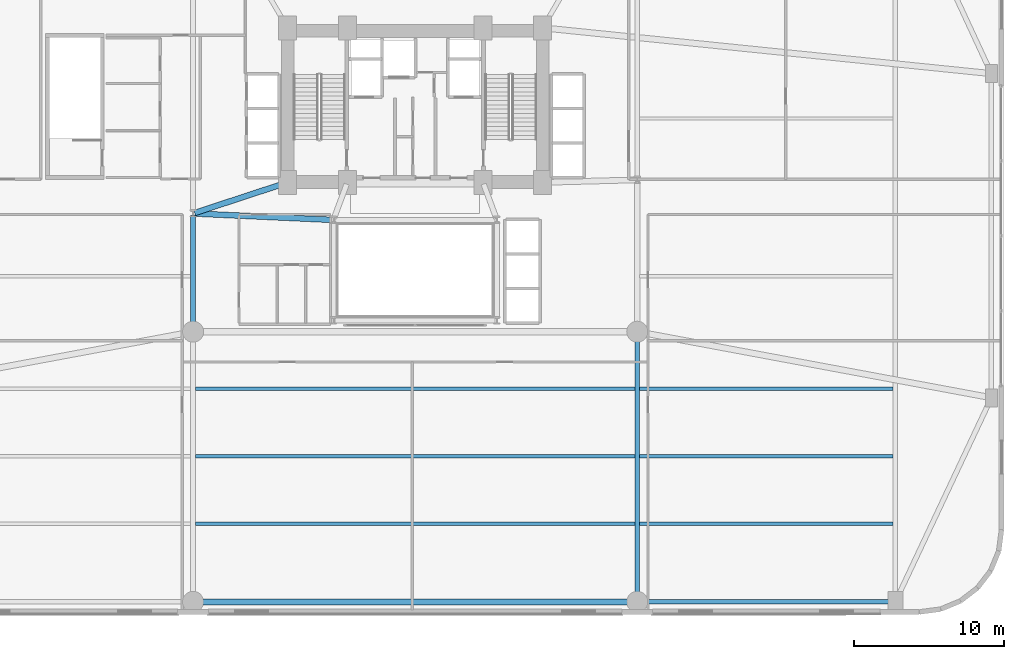
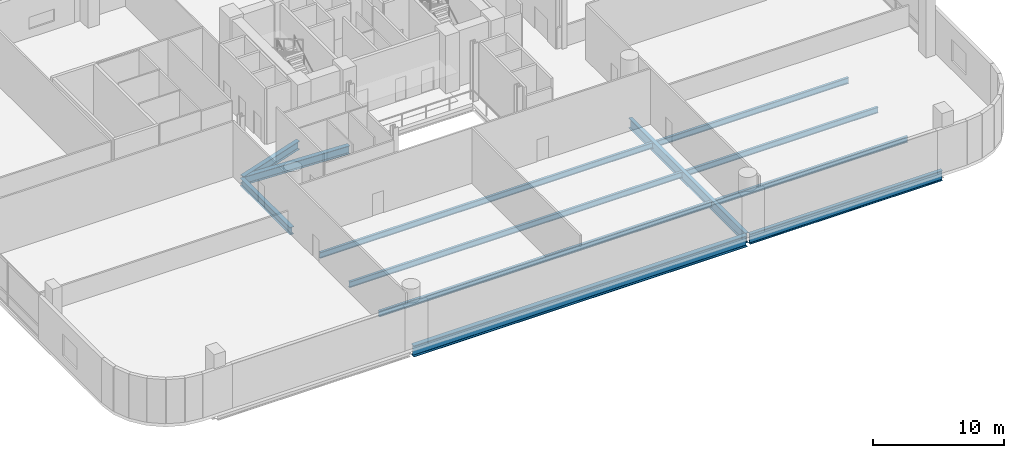
# One storey, part 9 of 31: 12 beams.
"""IFC4 building model written with IfcOpenShell, lengths in metres."""

from ifc_helpers import new_model, si_unit, direction, frame, origin, origin_2d, place, context, subcontext, project, spatial, i_section, extrude, material, material_profile, profile_set, type_object, element, save


model = new_model("IFC4")

# Units and contexts
model_context = context("Model", 3, precision=1e-05, world=origin(), true_north=direction((0.0, 1.0)))
body_context = subcontext(model_context, "Body", "Model", "MODEL_VIEW")
ifc_project = project(units=[si_unit("LENGTHUNIT", "METRE"), si_unit("AREAUNIT", "SQUARE_METRE"), si_unit("VOLUMEUNIT", "CUBIC_METRE"), si_unit("PLANEANGLEUNIT", "RADIAN"), si_unit("MASSUNIT", "GRAM", prefix="KILO")], contexts=[model_context])

# Site, building, storey
site_placement = place(None, origin())
site = spatial("IfcSite", under=ifc_project, at=site_placement, CompositionType="ELEMENT")
building_placement = place(site_placement, origin())
building = spatial("IfcBuilding", under=site, at=building_placement, Name="Varnelok Gate Tower", CompositionType="ELEMENT")
storey_placement = place(building_placement, frame((0.0, 0.0, 21.60009765625)))
storey = spatial("IfcBuildingStorey", under=building, at=storey_placement, Name="L04", CompositionType="ELEMENT", Elevation=21.60009765625)

# Beams
ifc_material = material(Name="Structural Steel ASTM A992 Grade 50", Category="steel")
ifc_material_profile_1 = material_profile(ifc_material, i_section(OverallWidth=0.2119140625, OverallDepth=0.5439453125, WebThickness=0.01318359375, FlangeThickness=0.021240234375, FilletRadius=0.01611328125, at=origin_2d()), Name="W21X83")
ifc_profile_set_1 = profile_set([ifc_material_profile_1], Name="Structural Steel ASTM A992 Grade 50")
beam_type_1 = type_object("IfcBeamType", Name="BM-JST-W21X83", PredefinedType="JOIST", material=ifc_profile_set_1)
beam_1_placement = place(storey_placement, frame((54.159912109375, 6.0, -0.592041015625), z_axis=(1.0, 0.0, 0.0), x_axis=(0.0, 1.0, 0.0)))
element("IfcBeam", 1, at=beam_1_placement, inside=storey, type_object=beam_type_1, Name="L04 Podium Floor Joist", PredefinedType="JOIST", context=body_context, shape_type="SweptSolid", body=[
    extrude(i_section(OverallWidth=0.2119140625, OverallDepth=0.5439453125, WebThickness=0.01318359375, FlangeThickness=0.021240234375, FilletRadius=0.01611328125, at=origin_2d()), origin(), (0.0, 0.0, 1.0), 16.880126953125),
])
beam_2_placement = place(storey_placement, frame((24.56005859375, 6.0, -0.592041015625), z_axis=(1.0, 0.0, 0.0), x_axis=(0.0, 1.0, 0.0)))
element("IfcBeam", 2, at=beam_2_placement, inside=storey, type_object=beam_type_1, Name="L04 Central Bay Joist", PredefinedType="JOIST", context=body_context, shape_type="SweptSolid", body=[
    extrude(i_section(OverallWidth=0.2119140625, OverallDepth=0.5439453125, WebThickness=0.01318359375, FlangeThickness=0.021240234375, FilletRadius=0.01611328125, at=origin_2d()), origin(), (0.0, 0.0, 1.0), 29.280029296875),
])
beam_3_placement = place(storey_placement, frame((54.159912109375, 10.5, -0.592041015625), z_axis=(1.0, 0.0, 0.0), x_axis=(0.0, 1.0, 0.0)))
element("IfcBeam", 3, at=beam_3_placement, inside=storey, type_object=beam_type_1, Name="L04 Podium Floor Joist", PredefinedType="JOIST", context=body_context, shape_type="SweptSolid", body=[
    extrude(i_section(OverallWidth=0.2119140625, OverallDepth=0.5439453125, WebThickness=0.01318359375, FlangeThickness=0.021240234375, FilletRadius=0.01611328125, at=origin_2d()), origin(), (0.0, 0.0, 1.0), 16.880126953125),
])
beam_4_placement = place(storey_placement, frame((24.56005859375, 10.5, -0.592041015625), z_axis=(1.0, 0.0, 0.0), x_axis=(0.0, 1.0, 0.0)))
element("IfcBeam", 4, at=beam_4_placement, inside=storey, type_object=beam_type_1, Name="L04 Central Bay Joist", PredefinedType="JOIST", context=body_context, shape_type="SweptSolid", body=[
    extrude(i_section(OverallWidth=0.2119140625, OverallDepth=0.5439453125, WebThickness=0.01318359375, FlangeThickness=0.021240234375, FilletRadius=0.01611328125, at=origin_2d()), origin(), (0.0, 0.0, 1.0), 29.280029296875),
])
beam_5_placement = place(storey_placement, frame((54.159912109375, 15.0, -0.592041015625), z_axis=(1.0, 0.0, 0.0), x_axis=(0.0, 1.0, 0.0)))
element("IfcBeam", 5, at=beam_5_placement, inside=storey, type_object=beam_type_1, Name="L04 Podium Floor Joist", PredefinedType="JOIST", context=body_context, shape_type="SweptSolid", body=[
    extrude(i_section(OverallWidth=0.2119140625, OverallDepth=0.5439453125, WebThickness=0.01318359375, FlangeThickness=0.021240234375, FilletRadius=0.01611328125, at=origin_2d()), origin(), (0.0, 0.0, 1.0), 16.880126953125),
])
beam_6_placement = place(storey_placement, frame((24.56005859375, 15.0, -0.592041015625), z_axis=(1.0, 0.0, 0.0), x_axis=(0.0, 1.0, 0.0)))
element("IfcBeam", 6, at=beam_6_placement, inside=storey, type_object=beam_type_1, Name="L04 Central Bay Joist", PredefinedType="JOIST", context=body_context, shape_type="SweptSolid", body=[
    extrude(i_section(OverallWidth=0.2119140625, OverallDepth=0.5439453125, WebThickness=0.01318359375, FlangeThickness=0.021240234375, FilletRadius=0.01611328125, at=origin_2d()), origin(), (0.0, 0.0, 1.0), 29.280029296875),
])
ifc_material_profile_2 = material_profile(ifc_material, i_section(OverallWidth=0.35498046875, OverallDepth=0.696044921875, WebThickness=0.015380859375, FlangeThickness=0.02490234375, FilletRadius=0.02001953125, at=origin_2d()), Name="W27X146")
ifc_profile_set_2 = profile_set([ifc_material_profile_2], Name="Structural Steel ASTM A992 Grade 50")
beam_type_2 = type_object("IfcBeamType", Name="BM-PRI-W27X146", PredefinedType="BEAM", material=ifc_profile_set_2)
beam_7_placement = place(storey_placement, frame((24.39990234375, 18.919921875, -0.668212890625), z_axis=(0.0, 1.0, 0.0), x_axis=(-1.0, 0.0, 0.0)))
element("IfcBeam", 7, at=beam_7_placement, inside=storey, type_object=beam_type_2, Name="L04 Core-Atrium Spine Beam 16", PredefinedType="BEAM", context=body_context, shape_type="SweptSolid", body=[
    extrude(i_section(OverallWidth=0.35498046875, OverallDepth=0.696044921875, WebThickness=0.015380859375, FlangeThickness=0.02490234375, FilletRadius=0.02001953125, at=origin_2d()), origin(), (0.0, 0.0, 1.0), 7.64013671875),
])
ifc_material_profile_3 = material_profile(ifc_material, i_section(OverallWidth=0.381103515625, OverallDepth=0.77294921875, WebThickness=0.0166015625, FlangeThickness=0.027099609375, FilletRadius=0.02197265625, at=origin_2d()), Name="W30X173")
ifc_profile_set_3 = profile_set([ifc_material_profile_3], Name="Structural Steel ASTM A992 Grade 50")
beam_type_3 = type_object("IfcBeamType", Name="BM-PRI-W30X173", PredefinedType="BEAM", material=ifc_profile_set_3)
beam_8_placement = place(storey_placement, frame((24.52001953125, 26.674560546875, -0.70654296875), z_axis=(0.99894427814, -0.045938319209, 0.0), x_axis=(0.045938319209, 0.99894427814, 0.0)))
element("IfcBeam", 8, at=beam_8_placement, inside=storey, type_object=beam_type_3, Name="L04 Core-Atrium Spine Beam 15", PredefinedType="BEAM", context=body_context, shape_type="SweptSolid", body=[
    extrude(i_section(OverallWidth=0.381103515625, OverallDepth=0.77294921875, WebThickness=0.0166015625, FlangeThickness=0.027099609375, FilletRadius=0.02197265625, at=origin_2d()), origin(), (0.0, 0.0, 1.0), 9.11962890625),
])
beam_9_placement = place(storey_placement, frame((24.513916015625, 26.717529296875, -0.70654296875), z_axis=(0.950041943788, 0.312122259768, 0.0), x_axis=(-0.312122259768, 0.950041943788, 0.0)))
element("IfcBeam", 9, at=beam_9_placement, inside=storey, type_object=beam_type_3, Name="L04 Core-Atrium Spine Beam 17", PredefinedType="BEAM", context=body_context, shape_type="SweptSolid", body=[
    extrude(i_section(OverallWidth=0.381103515625, OverallDepth=0.77294921875, WebThickness=0.0166015625, FlangeThickness=0.027099609375, FilletRadius=0.02197265625, at=origin_2d()), origin(), (0.0, 0.0, 1.0), 6.391357421875),
])
ifc_material_profile_4 = material_profile(ifc_material, i_section(OverallWidth=0.30810546875, OverallDepth=0.943115234375, WebThickness=0.022216796875, FlangeThickness=0.039794921875, FilletRadius=0.02587890625, at=origin_2d()), Name="W36X232")
ifc_profile_set_4 = profile_set([ifc_material_profile_4], Name="Structural Steel ASTM A992 Grade 50")
beam_type_4 = type_object("IfcBeamType", Name="BM-PRI-W36X232", PredefinedType="BEAM", material=ifc_profile_set_4)
beam_10_placement = place(storey_placement, frame((54.139892578125, 0.800048828125, -0.79150390625), z_axis=(1.0, 0.0, 0.0), x_axis=(0.0, 1.0, 0.0)))
element("IfcBeam", 10, at=beam_10_placement, inside=storey, type_object=beam_type_4, Name="L04 Podium Primary Girder 2", PredefinedType="BEAM", context=body_context, shape_type="SweptSolid", body=[
    extrude(i_section(OverallWidth=0.30810546875, OverallDepth=0.943115234375, WebThickness=0.022216796875, FlangeThickness=0.039794921875, FilletRadius=0.02587890625, at=origin_2d()), origin(), (0.0, 0.0, 1.0), 16.920166015625),
])
beam_11_placement = place(storey_placement, frame((54.0, 0.93994140625, -0.79150390625), z_axis=(0.0, 1.0, 0.0), x_axis=(-1.0, 0.0, 0.0)))
element("IfcBeam", 11, at=beam_11_placement, inside=storey, type_object=beam_type_4, Name="L04 Podium Primary Girder 13", PredefinedType="BEAM", context=body_context, shape_type="SweptSolid", body=[
    extrude(i_section(OverallWidth=0.30810546875, OverallDepth=0.943115234375, WebThickness=0.022216796875, FlangeThickness=0.039794921875, FilletRadius=0.02587890625, at=origin_2d()), origin(), (0.0, 0.0, 1.0), 17.719970703125),
])
ifc_material_profile_5 = material_profile(ifc_material, i_section(OverallWidth=0.409912109375, OverallDepth=1.0400390625, WebThickness=0.031005859375, FlangeThickness=0.055908203125, FilletRadius=0.030029296875, at=origin_2d()), Name="W40X397")
ifc_profile_set_5 = profile_set([ifc_material_profile_5], Name="Structural Steel ASTM A992 Grade 50")
beam_type_5 = type_object("IfcBeamType", Name="BM-TIE-W40X397", PredefinedType="BEAM", material=ifc_profile_set_5)
beam_12_placement = place(storey_placement, frame((24.5400390625, 0.800048828125, -0.840087890625), z_axis=(1.0, 0.0, 0.0), x_axis=(0.0, 1.0, 0.0)))
element("IfcBeam", 12, at=beam_12_placement, inside=storey, type_object=beam_type_5, Name="L04 Podium Primary Girder 24", PredefinedType="BEAM", context=body_context, shape_type="SweptSolid", body=[
    extrude(i_section(OverallWidth=0.409912109375, OverallDepth=1.0400390625, WebThickness=0.031005859375, FlangeThickness=0.055908203125, FilletRadius=0.030029296875, at=origin_2d()), origin(), (0.0, 0.0, 1.0), 29.320068359375),
])

save(model, "model.ifc")
